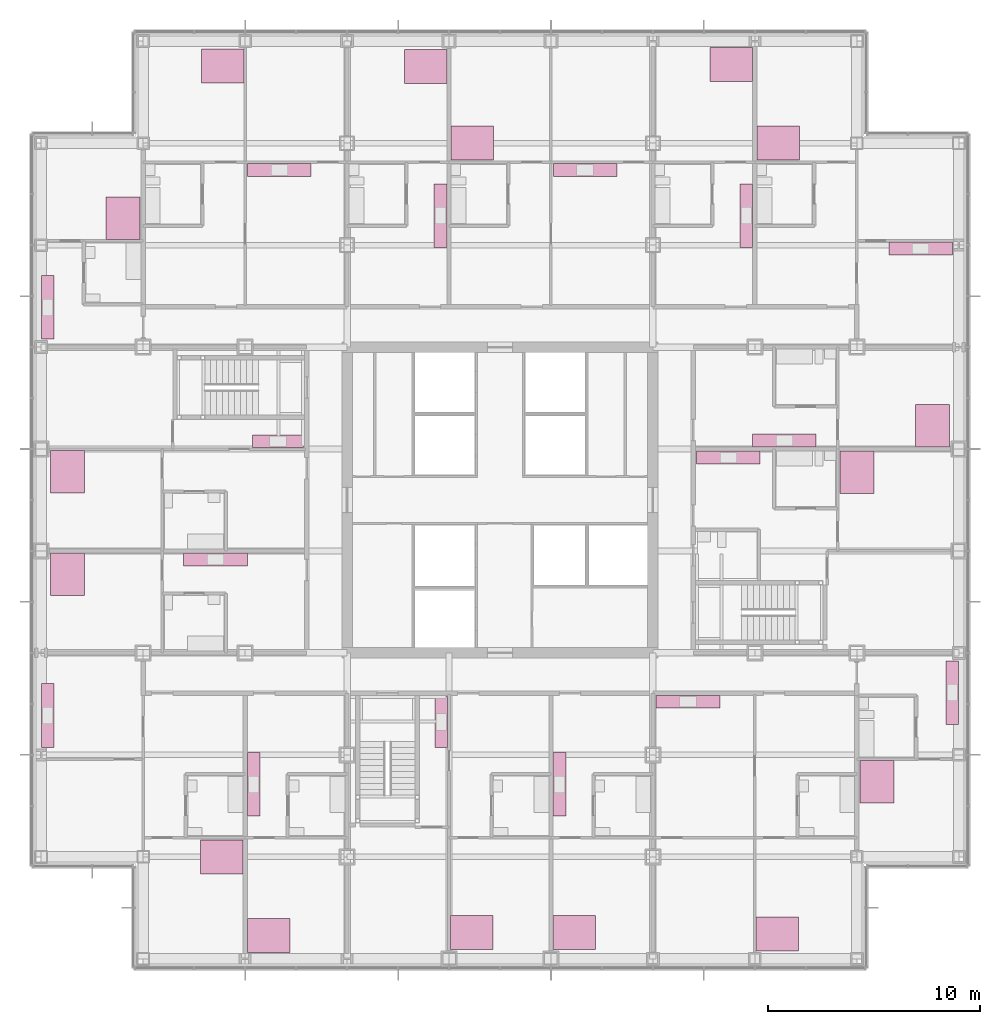
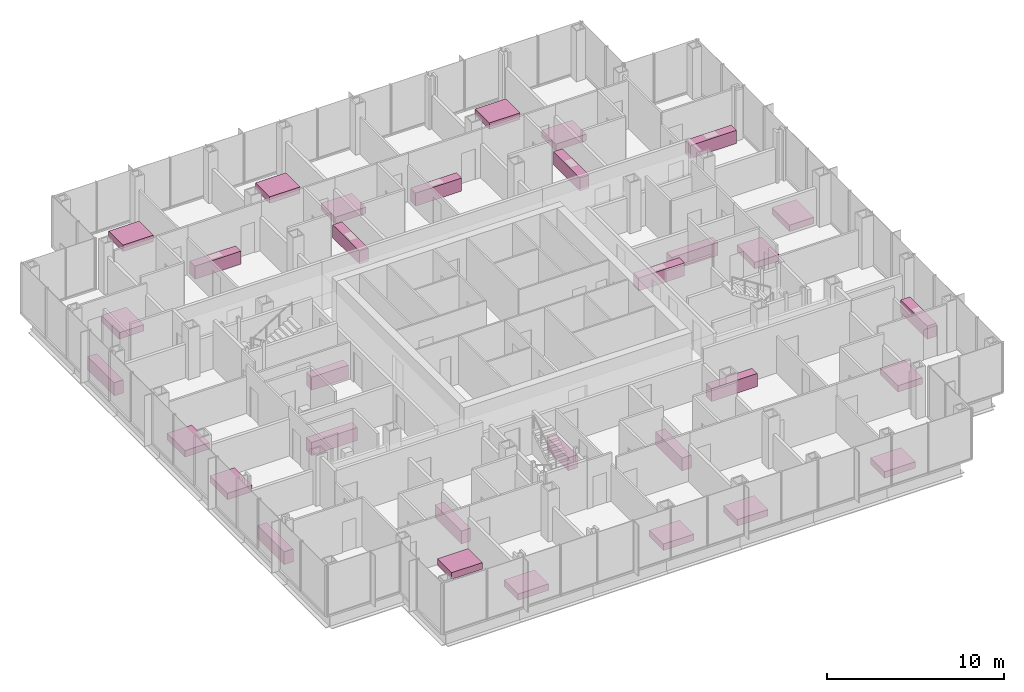
# One storey, part 21 of 21: 32 furniture elements.
"""IFC4 building model written with IfcOpenShell, lengths in metres."""

from ifc_helpers import new_model, si_unit, direction, frame, origin, origin_2d, place, context, subcontext, project, spatial, rectangle, extrude, material, type_object, element, save


model = new_model("IFC4")

# Units and contexts
model_context = context("Model", 3, precision=1e-05, world=origin(), true_north=direction((0.0, 1.0)))
body_context = subcontext(model_context, "Body", "Model", "MODEL_VIEW")
ifc_project = project(units=[si_unit("LENGTHUNIT", "METRE"), si_unit("AREAUNIT", "SQUARE_METRE"), si_unit("VOLUMEUNIT", "CUBIC_METRE"), si_unit("PLANEANGLEUNIT", "RADIAN"), si_unit("MASSUNIT", "GRAM", prefix="KILO")], contexts=[model_context])

# Site, building, storey
site_placement = place(None, origin())
site = spatial("IfcSite", under=ifc_project, at=site_placement, CompositionType="ELEMENT")
building_placement = place(site_placement, origin())
building = spatial("IfcBuilding", under=site, at=building_placement, Name="Kvirike Care Tower", CompositionType="ELEMENT")
storey_placement = place(building_placement, frame((0.0, 0.0, 34.0)))
storey = spatial("IfcBuildingStorey", under=building, at=storey_placement, Name="L08", CompositionType="ELEMENT", Elevation=34.0)

# Furniture
ifc_material_1 = material(Name="Timber", Category="wood")
furniture_type_1 = type_object("IfcFurnitureType", Name="DOUBLE BED 1600 x 2000", AssemblyPlace="FACTORY", PredefinedType="BED", material=ifc_material_1)
for number, where, z_axis, x_axis, name in (
    (1, (8.498046875, 19.18994140625, 0.0), (0.0, 0.0, 1.0), (0.0, -1.0, 0.0), "Double bed L08-003"),
    (2, (10.701904296875, 15.4970703125, 0.0), (0.0, 0.0, 1.0), (0.0, 1.0, 0.0), "Double bed L08-007"),
    (3, (1.2451171875, 37.337890625, 0.0), (0.0, 0.0, 1.0), (1.0, 0.0, 0.0), "Double bed L08-013"),
    (4, (1.2451171875, 32.498046875, 0.0), (0.0, 0.0, 1.0), (1.0, 0.0, 0.0), "Double bed L08-017"),
    (5, (8.5380859375, 56.429931640625, 0.0), (0.0, 0.0, 1.0), (0.0, -1.0, 0.0), "Double bed L08-022"),
    (6, (3.85009765625, 49.261962890625, 0.0), (0.0, 0.0, 1.0), (-1.0, 0.0, 0.0), "Double bed L08-026"),
    (7, (20.261962890625, 15.64501953125, 0.0), (0.0, 0.0, 1.0), (0.0, 1.0, 0.0), "Double bed L08-032"),
    (8, (25.10205078125, 15.64501953125, 0.0), (0.0, 0.0, 1.0), (0.0, 1.0, 0.0), "Double bed L08-036"),
    (9, (20.302001953125, 52.81005859375, 0.0), (0.0, 0.0, 1.0), (0.0, 1.0, 0.0), "Double bed L08-041"),
    (10, (18.097900390625, 56.405029296875, 0.0), (0.0, 0.0, 1.0), (0.0, -1.0, 0.0), "Double bed L08-045"),
    (11, (34.662109375, 15.570068359375, 0.0), (0.0, 0.0, 1.0), (0.0, 1.0, 0.0), "Double bed L08-050"),
    (12, (39.35009765625, 22.738037109375, 0.0), (0.0, 0.0, 1.0), (1.0, 0.0, 0.0), "Double bed L08-054"),
    (13, (38.409912109375, 37.298095703125, 0.0), (0.0, 0.0, 1.0), (1.0, 0.0, 0.0), "Double bed L08-060"),
    (14, (41.955078125, 39.501953125, 0.0), (0.0, 0.0, 1.0), (-1.0, 0.0, 0.0), "Double bed L08-064"),
    (15, (34.701904296875, 52.81005859375, 0.0), (0.0, 0.0, 1.0), (0.0, 1.0, 0.0), "Double bed L08-069"),
    (16, (32.498046875, 56.5029296875, 0.0), (0.0, 0.0, 1.0), (0.0, -1.0, 0.0), "Double bed L08-073"),
):
    element("IfcFurniture", number, at=place(storey_placement, frame(where, z_axis=z_axis, x_axis=x_axis)), inside=storey, type_object=furniture_type_1, Name=name, PredefinedType="BED", context=body_context, shape_type="SweptSolid", body=[
        extrude(rectangle(XDim=1.60009765625, YDim=2.0, at=origin_2d()), origin(), (0.0, 0.0, 1.0), 0.449951171875),
    ])
ifc_material_2 = material(Name="Laminated board", Category="wood")
furniture_type_2 = type_object("IfcFurnitureType", Name="KITCHEN UNIT RUN 600", AssemblyPlace="FACTORY", PredefinedType="USERDEFINED", material=ifc_material_2)
for number, where, z_axis, x_axis, name in (
    (17, (0.302001953125, 25.8544921875, 0.0), (0.0, 0.0, 1.0), (0.0, 1.0, 0.0), "Kitchen unit run L08-005"),
    (18, (10.001953125, 22.610107421875, 0.0), (0.0, 0.0, 1.0), (0.0, 1.0, 0.0), "Kitchen unit run L08-009"),
):
    element("IfcFurniture", number, at=place(storey_placement, frame(where, z_axis=z_axis, x_axis=x_axis)), inside=storey, type_object=furniture_type_2, Name=name, ObjectType="KITCHEN UNIT", PredefinedType="USERDEFINED", context=body_context, shape_type="SweptSolid", body=[
        extrude(rectangle(XDim=3.0, YDim=0.60009765625, at=origin_2d()), origin(), (0.0, 0.0, 1.0), 0.89990234375),
    ])
furniture_1_placement = place(storey_placement, frame((11.14990234375, 38.761962890625, 0.0), z_axis=(0.0, 0.0, 1.0), x_axis=(-1.0, 0.0, 0.0)))
element("IfcFurniture", 19, at=furniture_1_placement, inside=storey, type_object=furniture_type_2, Name="Kitchen unit run L08-015", ObjectType="KITCHEN UNIT", PredefinedType="USERDEFINED", context=body_context, shape_type="SweptSolid", body=[
    extrude(rectangle(XDim=2.39990234375, YDim=0.60009765625, at=origin_2d()), origin(), (0.0, 0.0, 1.0), 0.89990234375),
])
for number, where, z_axis, x_axis, name in (
    (20, (8.2099609375, 33.197998046875, 0.0), (0.0, 0.0, 1.0), (1.0, 0.0, 0.0), "Kitchen unit run L08-019"),
    (21, (11.2099609375, 51.5380859375, 0.0), (0.0, 0.0, 1.0), (1.0, 0.0, 0.0), "Kitchen unit run L08-024"),
    (22, (0.302001953125, 45.070068359375, 0.0), (0.0, 0.0, 1.0), (0.0, 1.0, 0.0), "Kitchen unit run L08-028"),
):
    element("IfcFurniture", number, at=place(storey_placement, frame(where, z_axis=z_axis, x_axis=x_axis)), inside=storey, type_object=furniture_type_2, Name=name, ObjectType="KITCHEN UNIT", PredefinedType="USERDEFINED", context=body_context, shape_type="SweptSolid", body=[
        extrude(rectangle(XDim=3.0, YDim=0.60009765625, at=origin_2d()), origin(), (0.0, 0.0, 1.0), 0.89990234375),
    ])
furniture_2_placement = place(storey_placement, frame((18.837890625, 25.550048828125, 0.0), z_axis=(0.0, 0.0, 1.0), x_axis=(0.0, -1.0, 0.0)))
element("IfcFurniture", 23, at=furniture_2_placement, inside=storey, type_object=furniture_type_2, Name="Kitchen unit run L08-034", ObjectType="KITCHEN UNIT", PredefinedType="USERDEFINED", context=body_context, shape_type="SweptSolid", body=[
    extrude(rectangle(XDim=2.39990234375, YDim=0.60009765625, at=origin_2d()), origin(), (0.0, 0.0, 1.0), 0.89990234375),
])
for number, where, z_axis, x_axis, name in (
    (24, (24.402099609375, 22.610107421875, 0.0), (0.0, 0.0, 1.0), (0.0, 1.0, 0.0), "Kitchen unit run L08-038"),
    (25, (25.610107421875, 51.5380859375, 0.0), (0.0, 0.0, 1.0), (1.0, 0.0, 0.0), "Kitchen unit run L08-043"),
    (26, (18.798095703125, 49.389892578125, 0.0), (0.0, 0.0, 1.0), (0.0, -1.0, 0.0), "Kitchen unit run L08-047"),
    (27, (30.449951171875, 26.498046875, 0.0), (0.0, 0.0, 1.0), (1.0, 0.0, 0.0), "Kitchen unit run L08-052"),
    (28, (42.89794921875, 26.929931640625, 0.0), (0.0, 0.0, 1.0), (0.0, -1.0, 0.0), "Kitchen unit run L08-056"),
    (29, (32.35009765625, 37.998046875, 0.0), (0.0, 0.0, 1.0), (1.0, 0.0, 0.0), "Kitchen unit run L08-063"),
    (30, (34.989990234375, 38.802001953125, 0.0), (0.0, 0.0, 1.0), (-1.0, 0.0, 0.0), "Kitchen unit run L08-066"),
    (31, (41.409912109375, 47.837890625, 0.0), (0.0, 0.0, 1.0), (1.0, 0.0, 0.0), "Kitchen unit run L08-071"),
    (32, (33.197998046875, 49.389892578125, 0.0), (0.0, 0.0, 1.0), (0.0, -1.0, 0.0), "Kitchen unit run L08-075"),
):
    element("IfcFurniture", number, at=place(storey_placement, frame(where, z_axis=z_axis, x_axis=x_axis)), inside=storey, type_object=furniture_type_2, Name=name, ObjectType="KITCHEN UNIT", PredefinedType="USERDEFINED", context=body_context, shape_type="SweptSolid", body=[
        extrude(rectangle(XDim=3.0, YDim=0.60009765625, at=origin_2d()), origin(), (0.0, 0.0, 1.0), 0.89990234375),
    ])

save(model, "model.ifc")
